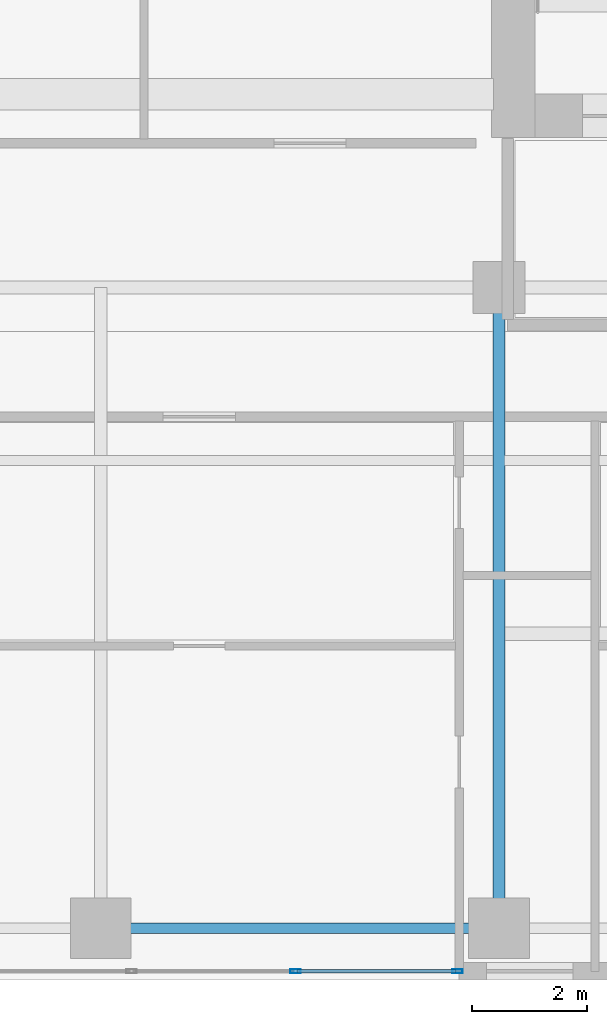
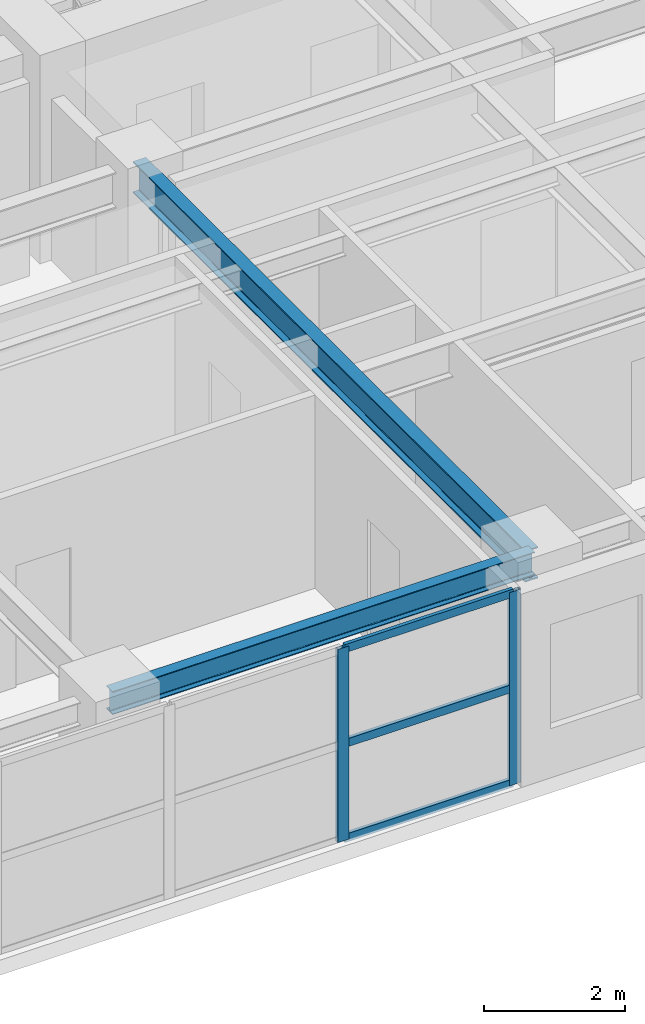
# One storey, part 3 of 20: 5 members, 2 beams, 1 element without a shape of its own.
"""IFC4 building model written with IfcOpenShell, lengths in metres."""

from ifc_helpers import new_model, si_unit, direction, frame, origin, origin_2d, place, context, subcontext, project, spatial, hollow_rectangle, i_section, extrude, source, transform, mapped, material, layer, layer_set, material_profile, profile_set, type_object, element, aggregate, save


model = new_model("IFC4")

# Units and contexts
model_context = context("Model", 3, precision=1e-05, world=origin(), true_north=direction((0.0, 1.0)))
body_context = subcontext(model_context, "Body", "Model", "MODEL_VIEW")
ifc_project = project(units=[si_unit("LENGTHUNIT", "METRE"), si_unit("AREAUNIT", "SQUARE_METRE"), si_unit("VOLUMEUNIT", "CUBIC_METRE"), si_unit("PLANEANGLEUNIT", "RADIAN"), si_unit("MASSUNIT", "GRAM", prefix="KILO")], contexts=[model_context])

# Site, building, storey
site_placement = place(None, origin())
site = spatial("IfcSite", under=ifc_project, at=site_placement, CompositionType="ELEMENT")
building_placement = place(site_placement, origin())
building = spatial("IfcBuilding", under=site, at=building_placement, Name="Khoralis Quay Care Tower", CompositionType="ELEMENT")
storey_placement = place(building_placement, frame((0.0, 0.0, 116.10009765625)))
storey = spatial("IfcBuildingStorey", under=building, at=storey_placement, Name="L30", CompositionType="ELEMENT", Elevation=116.10009765625)

# Beams
ifc_material_1 = material(Name="Steel S355", Category="steel")
ifc_material_profile_1 = material_profile(ifc_material_1, i_section(OverallWidth=0.179931640625, OverallDepth=0.39990234375, WebThickness=0.008544921875, FlangeThickness=0.013427734375, FilletRadius=0.02099609375, at=origin_2d()), Name="Steel S355")
ifc_profile_set_1 = profile_set([ifc_material_profile_1], Name="Steel S355")
beam_type_1 = type_object("IfcBeamType", Name="BM-IPE400", PredefinedType="SPANDREL", material=ifc_profile_set_1)
shared_shape_1 = source(origin(), body_context, "Body", "SweptSolid", [
    extrude(i_section(OverallWidth=0.179931640625, OverallDepth=0.39990234375, WebThickness=0.008544921875, FlangeThickness=0.013427734375, FilletRadius=0.02099609375, at=origin_2d()), origin(), (0.0, 0.0, 1.0), 6.89990234375),
])
beam_1_placement = place(storey_placement, frame((24.0, 0.89990234375, 3.139892578125), z_axis=(1.0, 0.0, 0.0), x_axis=(0.0, 1.0, 0.0)))
element("IfcBeam", 1, at=beam_1_placement, inside=storey, type_object=beam_type_1, Name="BM-TSP-L30-04", PredefinedType="SPANDREL", context=body_context, shape_type="MappedRepresentation", body=[
    mapped(shared_shape_1, transform((0.0, 0.0, 0.0), scale=1.0)),
])
ifc_material_profile_2 = material_profile(ifc_material_1, i_section(OverallWidth=0.2119140625, OverallDepth=0.5439453125, WebThickness=0.01318359375, FlangeThickness=0.021240234375, FilletRadius=0.01611328125, at=origin_2d()), Name="Steel S355")
ifc_profile_set_2 = profile_set([ifc_material_profile_2], Name="Steel S355")
beam_type_2 = type_object("IfcBeamType", Name="BM-W530X123", PredefinedType="BEAM", material=ifc_profile_set_2)
shared_shape_2 = source(origin(), body_context, "Body", "SweptSolid", [
    extrude(i_section(OverallWidth=0.2119140625, OverallDepth=0.5439453125, WebThickness=0.01318359375, FlangeThickness=0.021240234375, FilletRadius=0.01611328125, at=origin_2d()), origin(), (0.0, 0.0, 1.0), 11.10009765625),
])
beam_2_placement = place(storey_placement, frame((30.89990234375, 0.89990234375, 3.06787109375), z_axis=(0.0, 1.0, 0.0), x_axis=(-1.0, 0.0, 0.0)))
element("IfcBeam", 2, at=beam_2_placement, inside=storey, type_object=beam_type_2, Name="BM-TGYS-L30-309", PredefinedType="BEAM", context=body_context, shape_type="MappedRepresentation", body=[
    mapped(shared_shape_2, transform((0.0, 0.0, 0.0), scale=1.0)),
])

# Curtain wall, members
ifc_material_2 = material(Name="Pale anodised aluminium", Category="aluminium")
ifc_layer = layer(ifc_material_2, 0.169921875)
ifc_layer_set = layer_set([ifc_layer], Name="Pale anodised aluminium")
curtain_wall_type = type_object("IfcCurtainWallType", Name="CW-SYS-Z2", PredefinedType="NOTDEFINED", material=ifc_layer_set)
curtain_wall_placement = place(storey_placement, origin())
curtain_wall = element("IfcCurtainWall", 3, at=curtain_wall_placement, inside=storey, type_object=curtain_wall_type, Name="L30 Unitised Curtain Wall CW-L30-P1-E0", PredefinedType="NOTDEFINED")
ifc_material_profile_3 = material_profile(ifc_material_2, hollow_rectangle(XDim=0.06494140625, YDim=0.179931640625, WallThickness=0.00390625, at=origin_2d()), Name="Pale anodised aluminium")
ifc_profile_set_3 = profile_set([ifc_material_profile_3], Name="Pale anodised aluminium")
member_type_1 = type_object("IfcMemberType", Name="CW-MUL-180", PredefinedType="MULLION", material=ifc_profile_set_3)
shared_shape_3 = source(origin(), body_context, "Body", "SweptSolid", [
    extrude(hollow_rectangle(XDim=0.06494140625, YDim=0.179931640625, WallThickness=0.00390625, at=origin_2d()), origin(), (0.0, 0.0, 1.0), 3.33984375),
])
member_1_placement = place(storey_placement, frame((27.3701171875, 0.14990234375, 0.0), z_axis=(0.0, 0.0, 1.0), x_axis=(0.0, 1.0, 0.0)))
member_1 = element("IfcMember", 4, at=member_1_placement, type_object=member_type_1, Name="CW2 mullion 4", PredefinedType="MULLION", context=body_context, shape_type="MappedRepresentation", body=[
    mapped(shared_shape_3, transform((0.0, 0.0, 0.0), scale=1.0)),
])
member_2_placement = place(storey_placement, frame((30.179931640625, 0.14990234375, 0.0), z_axis=(0.0, 0.0, 1.0), x_axis=(0.0, 1.0, 0.0)))
member_2 = element("IfcMember", 5, at=member_2_placement, type_object=member_type_1, Name="CW2 mullion 5", PredefinedType="MULLION", context=body_context, shape_type="MappedRepresentation", body=[
    mapped(shared_shape_3, transform((0.0, 0.0, 0.0), scale=1.0)),
])
ifc_material_profile_4 = material_profile(ifc_material_2, hollow_rectangle(XDim=0.06005859375, YDim=0.139892578125, WallThickness=0.00390625, at=origin_2d()), Name="Pale anodised aluminium")
ifc_profile_set_4 = profile_set([ifc_material_profile_4], Name="Pale anodised aluminium")
member_type_2 = type_object("IfcMemberType", Name="CW-TRN-140", PredefinedType="USERDEFINED", material=ifc_profile_set_4)
shared_shape_4 = source(origin(), body_context, "Body", "SweptSolid", [
    extrude(hollow_rectangle(XDim=0.06005859375, YDim=0.139892578125, WallThickness=0.00390625, at=origin_2d()), origin(), (0.0, 0.0, 1.0), 2.75),
])
member_3_placement = place(storey_placement, frame((27.39990234375, 0.14990234375, 0.02978515625), z_axis=(1.0, 0.0, 0.0), x_axis=(0.0, 1.0, 0.0)))
member_3 = element("IfcMember", 6, at=member_3_placement, type_object=member_type_2, Name="CW2 transom 4.1", ObjectType="TRANSOM", PredefinedType="USERDEFINED", context=body_context, shape_type="MappedRepresentation", body=[
    mapped(shared_shape_4, transform((0.0, 0.0, 0.0), scale=1.0)),
])
member_4_placement = place(storey_placement, frame((27.39990234375, 0.14990234375, 1.669921875), z_axis=(1.0, 0.0, 0.0), x_axis=(0.0, 1.0, 0.0)))
member_4 = element("IfcMember", 7, at=member_4_placement, type_object=member_type_2, Name="CW2 transom 4.2", ObjectType="TRANSOM", PredefinedType="USERDEFINED", context=body_context, shape_type="MappedRepresentation", body=[
    mapped(shared_shape_4, transform((0.0, 0.0, 0.0), scale=1.0)),
])
member_5_placement = place(storey_placement, frame((27.39990234375, 0.14990234375, 3.309814453125), z_axis=(1.0, 0.0, 0.0), x_axis=(0.0, 1.0, 0.0)))
member_5 = element("IfcMember", 8, at=member_5_placement, type_object=member_type_2, Name="CW2 transom 4.3", ObjectType="TRANSOM", PredefinedType="USERDEFINED", context=body_context, shape_type="MappedRepresentation", body=[
    mapped(shared_shape_4, transform((0.0, 0.0, 0.0), scale=1.0)),
])
aggregate(curtain_wall, [member_1, member_2, member_3, member_4, member_5])

save(model, "model.ifc")
